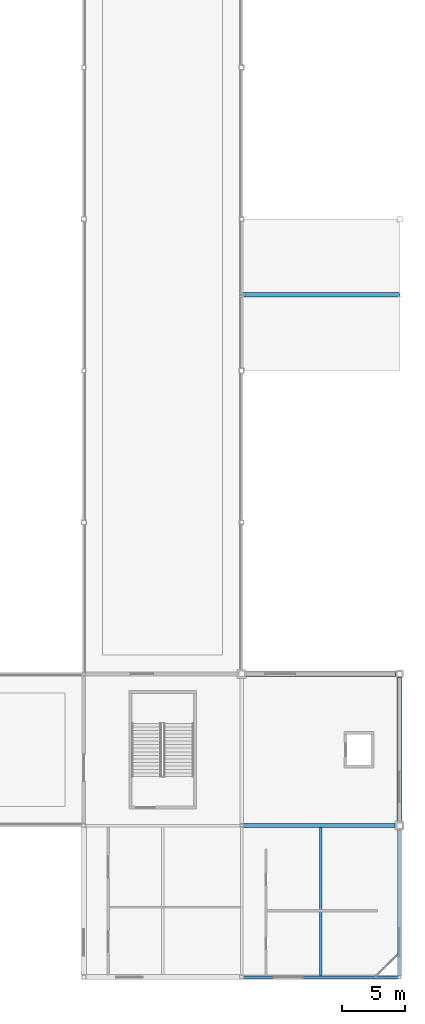
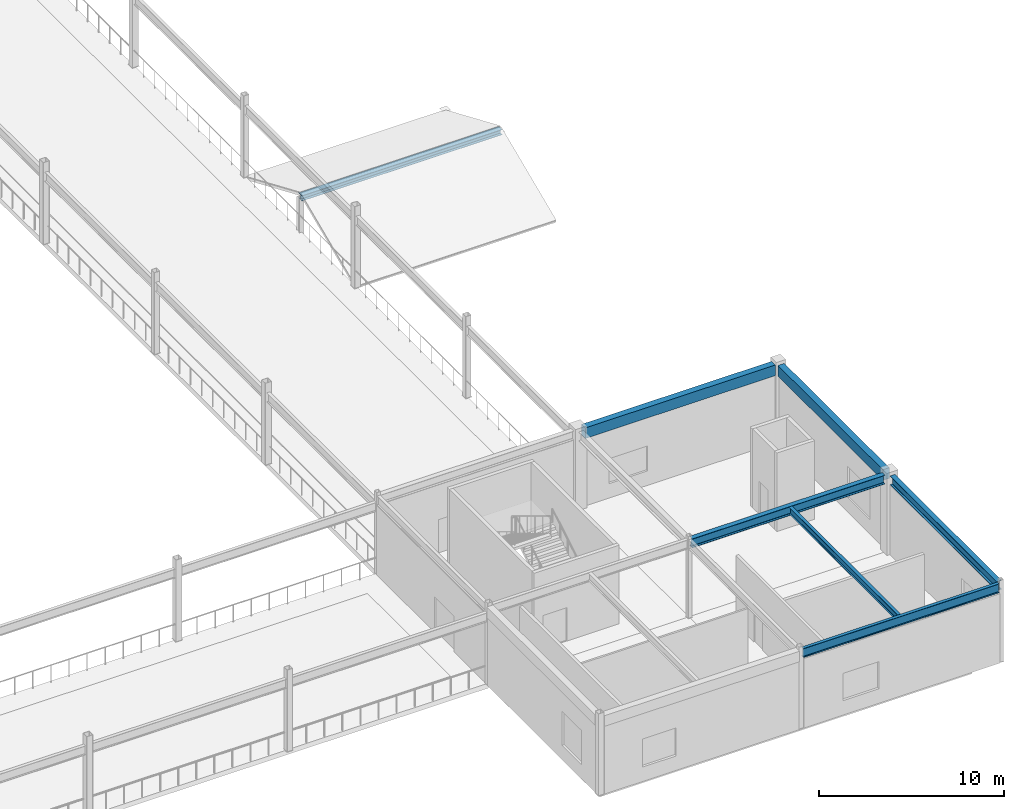
# One storey, part 45 of 105: 6 beams, 1 member.
"""IFC4 building model written with IfcOpenShell, lengths in metres."""

from ifc_helpers import new_model, si_unit, direction, frame, origin, origin_2d, place, context, subcontext, project, spatial, rectangle, i_section, extrude, material, material_profile, profile_set, type_object, element, save


model = new_model("IFC4")

# Units and contexts
model_context = context("Model", 3, precision=1e-05, world=origin(), true_north=direction((0.0, 1.0)))
body_context = subcontext(model_context, "Body", "Model", "MODEL_VIEW")
ifc_project = project(units=[si_unit("LENGTHUNIT", "METRE"), si_unit("AREAUNIT", "SQUARE_METRE"), si_unit("VOLUMEUNIT", "CUBIC_METRE"), si_unit("PLANEANGLEUNIT", "RADIAN"), si_unit("MASSUNIT", "GRAM", prefix="KILO")], contexts=[model_context])

# Site, building, storey
site_placement = place(None, origin())
site = spatial("IfcSite", under=ifc_project, at=site_placement, CompositionType="ELEMENT")
building_placement = place(site_placement, origin())
building = spatial("IfcBuilding", under=site, at=building_placement, Name="Kazenohara Klinker Stadium", CompositionType="ELEMENT")
storey_placement = place(building_placement, frame((0.0, 0.0, 20.39990234375)))
storey = spatial("IfcBuildingStorey", under=building, at=storey_placement, Name="L04", CompositionType="ELEMENT", Elevation=20.39990234375)

# Beams
ifc_material_1 = material(Name="Steel S355", Category="steel")
ifc_material_profile_1 = material_profile(ifc_material_1, i_section(OverallWidth=0.199951171875, OverallDepth=0.449951171875, WebThickness=0.009033203125, FlangeThickness=0.013916015625, FilletRadius=0.012939453125, at=origin_2d()), Name="H-450x200x9x14")
ifc_profile_set_1 = profile_set([ifc_material_profile_1], Name="Steel S355")
beam_type_1 = type_object("IfcBeamType", Name="BM-JST02", PredefinedType="JOIST", material=ifc_profile_set_1)
beam_1_placement = place(storey_placement, frame((193.75, 12.10009765625, 4.955078125), z_axis=(0.0, 1.0, 0.0), x_axis=(-1.0, 0.0, 0.0)))
element("IfcBeam", 1, at=beam_1_placement, inside=storey, type_object=beam_type_1, Name="Secondary floor joist SJ02 L04 16/B", PredefinedType="JOIST", context=body_context, shape_type="SweptSolid", body=[
    extrude(i_section(OverallWidth=0.199951171875, OverallDepth=0.449951171875, WebThickness=0.009033203125, FlangeThickness=0.013916015625, FilletRadius=0.012939453125, at=origin_2d()), origin(), (0.0, 0.0, 1.0), 11.75),
])
ifc_material_2 = material(Name="Concrete C40/50", Category="concrete")
ifc_material_profile_2 = material_profile(ifc_material_2, rectangle(XDim=0.39990234375, YDim=0.699951171875, at=origin_2d()), Name="RC-BM-400x700")
ifc_profile_set_2 = profile_set([ifc_material_profile_2], Name="Concrete C40/50")
beam_type_2 = type_object("IfcBeamType", Name="BM-RC04", PredefinedType="BEAM", material=ifc_profile_set_2)
beam_2_placement = place(storey_placement, frame((187.85009765625, 36.0, 4.830078125), z_axis=(1.0, 0.0, 0.0), x_axis=(0.0, 1.0, 0.0)))
element("IfcBeam", 2, at=beam_2_placement, inside=storey, type_object=beam_type_2, Name="Primary girder BG04 L04 16-17/D", PredefinedType="BEAM", context=body_context, shape_type="SweptSolid", body=[
    extrude(rectangle(XDim=0.39990234375, YDim=0.699951171875, at=origin_2d()), origin(), (0.0, 0.0, 1.0), 11.849853515625),
])
beam_3_placement = place(storey_placement, frame((200.0, 24.35009765625, 4.830078125), z_axis=(0.0, 1.0, 0.0), x_axis=(-1.0, 0.0, 0.0)))
element("IfcBeam", 3, at=beam_3_placement, inside=storey, type_object=beam_type_2, Name="Primary girder BG04 L04 17/C-D", PredefinedType="BEAM", context=body_context, shape_type="SweptSolid", body=[
    extrude(rectangle(XDim=0.39990234375, YDim=0.699951171875, at=origin_2d()), origin(), (0.0, 0.0, 1.0), 11.349853515625),
])
ifc_material_profile_3 = material_profile(ifc_material_1, i_section(OverallWidth=0.199951171875, OverallDepth=0.60009765625, WebThickness=0.010986328125, FlangeThickness=0.01708984375, FilletRadius=0.012939453125, at=origin_2d()), Name="H-600x200x11x17")
ifc_profile_set_3 = profile_set([ifc_material_profile_3], Name="Steel S355")
beam_type_3 = type_object("IfcBeamType", Name="BM-ST04", PredefinedType="BEAM", material=ifc_profile_set_3)
beam_4_placement = place(storey_placement, frame((187.64990234375, 12.0, 4.880126953125), z_axis=(1.0, 0.0, 0.0), x_axis=(0.0, 1.0, 0.0)))
element("IfcBeam", 4, at=beam_4_placement, inside=storey, type_object=beam_type_3, Name="Primary girder SB04 L04 16-17/B", PredefinedType="BEAM", context=body_context, shape_type="SweptSolid", body=[
    extrude(i_section(OverallWidth=0.199951171875, OverallDepth=0.60009765625, WebThickness=0.010986328125, FlangeThickness=0.01708984375, FilletRadius=0.012939453125, at=origin_2d()), origin(), (0.0, 0.0, 1.0), 12.22509765625),
])
ifc_material_profile_4 = material_profile(ifc_material_1, i_section(OverallWidth=0.300048828125, OverallDepth=0.587890625, WebThickness=0.011962890625, FlangeThickness=0.02001953125, FilletRadius=0.02197265625, at=origin_2d()), Name="H-588x300x12x20")
ifc_profile_set_4 = profile_set([ifc_material_profile_4], Name="Steel S355")
beam_type_4 = type_object("IfcBeamType", Name="BM-ST05", PredefinedType="BEAM", material=ifc_profile_set_4)
beam_5_placement = place(storey_placement, frame((187.625, 24.0, 4.885986328125), z_axis=(1.0, 0.0, 0.0), x_axis=(0.0, 1.0, 0.0)))
element("IfcBeam", 5, at=beam_5_placement, inside=storey, type_object=beam_type_4, Name="Primary girder SB05 L04 16-17/C", PredefinedType="BEAM", context=body_context, shape_type="SweptSolid", body=[
    extrude(i_section(OverallWidth=0.300048828125, OverallDepth=0.587890625, WebThickness=0.011962890625, FlangeThickness=0.02001953125, FilletRadius=0.02197265625, at=origin_2d()), origin(), (0.0, 0.0, 1.0), 12.02490234375),
])
beam_6_placement = place(storey_placement, frame((200.0, 12.125, 4.885986328125), z_axis=(0.0, 1.0, 0.0), x_axis=(-1.0, 0.0, 0.0)))
element("IfcBeam", 6, at=beam_6_placement, inside=storey, type_object=beam_type_4, Name="Primary girder SB05 L04 17/B-C", PredefinedType="BEAM", context=body_context, shape_type="SweptSolid", body=[
    extrude(i_section(OverallWidth=0.300048828125, OverallDepth=0.587890625, WebThickness=0.011962890625, FlangeThickness=0.02001953125, FilletRadius=0.02197265625, at=origin_2d()), origin(), (0.0, 0.0, 1.0), 11.52490234375),
])

# Member
ifc_material_profile_5 = material_profile(ifc_material_1, i_section(OverallWidth=0.35009765625, OverallDepth=0.35009765625, WebThickness=0.011962890625, FlangeThickness=0.01904296875, FilletRadius=0.012939453125, at=origin_2d()), Name="H-350x350x12x19")
ifc_profile_set_5 = profile_set([ifc_material_profile_5], Name="Steel S355")
member_type = type_object("IfcMemberType", Name="MEM-CHD02", PredefinedType="CHORD", material=ifc_profile_set_5)
member_placement = place(storey_placement, frame((187.5, 66.0, 2.22998046875), z_axis=(1.0, 0.0, 0.0), x_axis=(0.0, 1.0, 0.0)))
element("IfcMember", 7, at=member_placement, inside=storey, type_object=member_type, Name="Stepped pavilion gable ridge beam L04 16/F", PredefinedType="CHORD", context=body_context, shape_type="SweptSolid", body=[
    extrude(i_section(OverallWidth=0.35009765625, OverallDepth=0.35009765625, WebThickness=0.011962890625, FlangeThickness=0.01904296875, FilletRadius=0.012939453125, at=origin_2d()), origin(), (0.0, 0.0, 1.0), 12.5),
])

save(model, "model.ifc")
